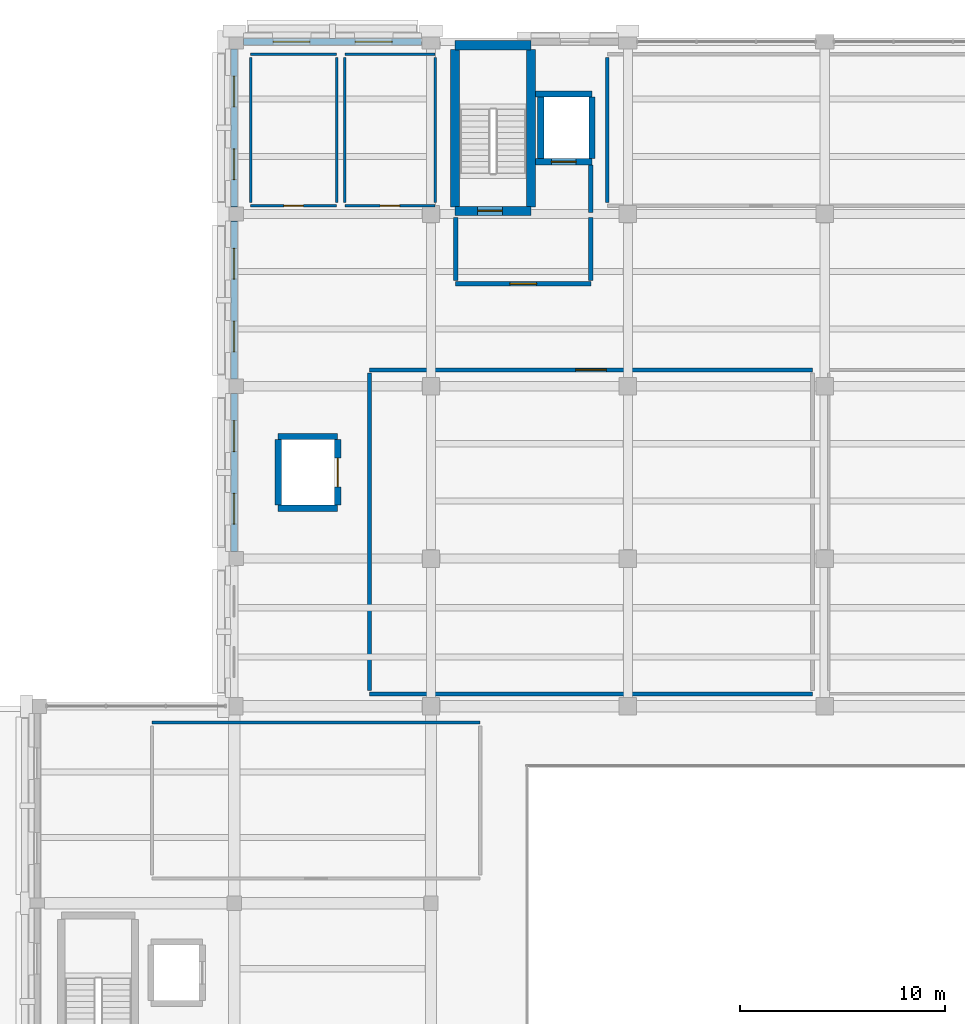
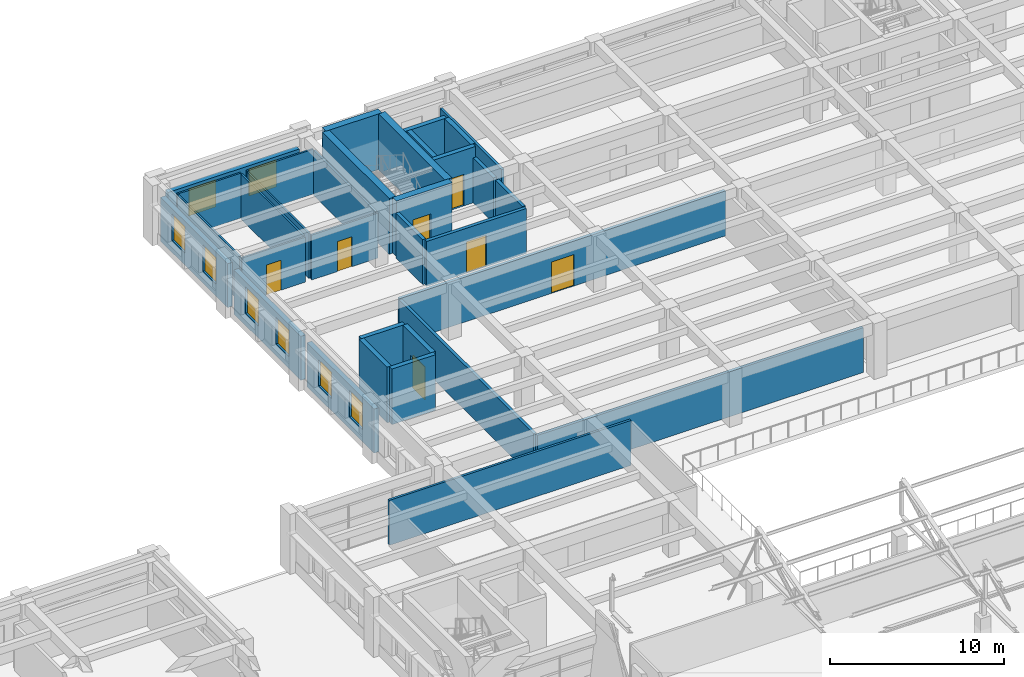
# One storey, part 59 of 71: 33 walls, 8 windows, 7 doors, 15 openings.
"""IFC4 building model written with IfcOpenShell, lengths in metres."""

from ifc_helpers import new_model, si_unit, direction, frame, frame_2d, origin, place, context, subcontext, project, spatial, rectangle, extrude, material, layer, layer_set, type_object, element, fill, save


model = new_model("IFC4")

# Units and contexts
model_context = context("Model", 3, precision=1e-05, world=origin(), true_north=direction((0.0, 1.0)))
body_context = subcontext(model_context, "Body", "Model", "MODEL_VIEW")
ifc_project = project(units=[si_unit("LENGTHUNIT", "METRE"), si_unit("AREAUNIT", "SQUARE_METRE"), si_unit("VOLUMEUNIT", "CUBIC_METRE"), si_unit("PLANEANGLEUNIT", "RADIAN"), si_unit("MASSUNIT", "GRAM", prefix="KILO")], contexts=[model_context])

# Site, building, storey
site_placement = place(None, origin())
site = spatial("IfcSite", under=ifc_project, at=site_placement, CompositionType="ELEMENT")
building_placement = place(site_placement, origin())
building = spatial("IfcBuilding", under=site, at=building_placement, Name="Bempovik Park Faculty of Sciences", CompositionType="ELEMENT")
storey_placement = place(building_placement, frame((0.0, 0.0, 14.10009765625)))
storey = spatial("IfcBuildingStorey", under=building, at=storey_placement, Name="L03", CompositionType="ELEMENT", Elevation=14.10009765625)

# Wall, opening, door
ifc_material_1 = material(Name="Concrete C40/50", Category="concrete")
ifc_layer_1 = layer(ifc_material_1, 0.449951171875)
ifc_layer_set_1 = layer_set([ifc_layer_1], Name="Concrete C40/50")
wall_type_1 = type_object("IfcWallType", Name="W-15 Wall 450mm", PredefinedType="SHEAR", material=ifc_layer_set_1)
wall_1_placement = place(storey_placement, frame((70.77490234375, 111.14990234375, 0.0), z_axis=(0.0, 0.0, 1.0), x_axis=(1.0, 0.0, 0.0)))
wall_1 = element("IfcWall", 1, at=wall_1_placement, inside=storey, type_object=wall_type_1, Name="ST-1 L03 Core Shear Wall South", PredefinedType="SHEAR", context=body_context, shape_type="SweptSolid", body=[
    extrude(rectangle(XDim=3.7001953125, YDim=0.449951171875, at=frame_2d((1.85009765625, 0.0))), origin(), (0.0, 0.0, 1.0), 3.89990234375),
])
opening_1_placement = place(wall_1_placement, frame((1.10009765625, 0.0, 0.0)))
opening_1 = element("IfcOpeningElement", 2, at=opening_1_placement, cuts=wall_1, Name="Opening D-49", PredefinedType="OPENING", context=body_context, shape_type="SweptSolid", body=[
    extrude(rectangle(XDim=1.199951171875, YDim=2.199951171875, at=frame_2d((0.60009765625, 1.10009765625))), frame((0.0, 0.23486328125, 0.0), z_axis=(0.0, -1.0, 0.0), x_axis=(1.0, 0.0, 0.0)), (0.0, 0.0, 1.0), 0.469970703125),
])
ifc_material_2 = material(Name="Painted steel S355", Category="steel")
door_type_1 = type_object("IfcDoorType", Name="D-49 Door 1200x2200", OperationType="NOTDEFINED", PredefinedType="DOOR", material=ifc_material_2)
door_1_placement = place(opening_1_placement, origin())
door_1 = element("IfcDoor", 3, at=door_1_placement, inside=storey, type_object=door_type_1, Name="ST-1 L03 Protected Stair Smoke Door", OperationType="SINGLE_SWING_LEFT", OverallHeight=2.199951171875, OverallWidth=1.199951171875, PredefinedType="DOOR", context=body_context, shape_type="SweptSolid", body=[
    extrude(rectangle(XDim=1.199951171875, YDim=2.199951171875, at=frame_2d((0.60009765625, 1.10009765625))), frame((0.0, 0.02490234375, 0.0), z_axis=(0.0, -1.0, 0.0), x_axis=(1.0, 0.0, 0.0)), (0.0, 0.0, 1.0), 0.050048828125),
])
fill(opening_1, door_1)

# Walls
for number, where, z_axis, x_axis, name in (
    (4, (70.77490234375, 111.35009765625, 0.0), (0.0, 0.0, 1.0), (0.0, 1.0, 0.0), "ST-1 L03 Core Shear Wall West"),
    (5, (74.47509765625, 111.35009765625, 0.0), (0.0, 0.0, 1.0), (0.0, 1.0, 0.0), "ST-1 L03 Core Shear Wall East"),
):
    element("IfcWall", number, at=place(storey_placement, frame(where, z_axis=z_axis, x_axis=x_axis)), inside=storey, type_object=wall_type_1, Name=name, PredefinedType="SHEAR", context=body_context, shape_type="SweptSolid", body=[
        extrude(rectangle(XDim=7.6748046875, YDim=0.449951171875, at=frame_2d((3.83740234375, 0.0))), origin(), (0.0, 0.0, 1.0), 3.89990234375),
    ])
wall_2_placement = place(storey_placement, frame((70.77490234375, 119.22509765625, 0.0), z_axis=(0.0, 0.0, 1.0), x_axis=(1.0, 0.0, 0.0)))
element("IfcWall", 6, at=wall_2_placement, inside=storey, type_object=wall_type_1, Name="ST-1 L03 Core Shear Wall North", PredefinedType="SHEAR", context=body_context, shape_type="SweptSolid", body=[
    extrude(rectangle(XDim=3.7001953125, YDim=0.449951171875, at=frame_2d((1.85009765625, 0.0))), origin(), (0.0, 0.0, 1.0), 3.89990234375),
])

# Wall, opening, door
ifc_material_3 = material(Name="Gypsum acoustic stud assembly")
ifc_layer_2 = layer(ifc_material_3, 0.1201171875)
ifc_layer_set_2 = layer_set([ifc_layer_2], Name="Gypsum acoustic stud assembly")
wall_type_2 = type_object("IfcWallType", Name="W-17 Wall 120mm", PredefinedType="PARTITIONING", material=ifc_layer_set_2)
wall_3_placement = place(storey_placement, frame((60.800048828125, 111.39990234375, 0.0), z_axis=(0.0, 0.0, 1.0), x_axis=(1.0, 0.0, 0.0)))
wall_3 = element("IfcWall", 7, at=wall_3_placement, inside=storey, type_object=wall_type_2, Name="L03 L03 Male WC Partition South", PredefinedType="PARTITIONING", context=body_context, shape_type="SweptSolid", body=[
    extrude(rectangle(XDim=4.199951171875, YDim=0.1201171875, at=frame_2d((2.10009765625, 0.0))), origin(), (0.0, 0.0, 1.0), 3.14990234375),
])
opening_2_placement = place(wall_3_placement, frame((1.625, 0.0, 0.0)))
opening_2 = element("IfcOpeningElement", 8, at=opening_2_placement, cuts=wall_3, Name="Opening D-56", PredefinedType="OPENING", context=body_context, shape_type="SweptSolid", body=[
    extrude(rectangle(XDim=0.949951171875, YDim=2.10009765625, at=frame_2d((0.47509765625, 1.050048828125))), frame((0.0, 0.070068359375, 0.0), z_axis=(0.0, -1.0, 0.0), x_axis=(1.0, 0.0, 0.0)), (0.0, 0.0, 1.0), 0.14013671875),
])
ifc_material_4 = material(Name="West African hardwood finish", Category="wood")
door_type_2 = type_object("IfcDoorType", Name="D-56 Door 950x2100", OperationType="NOTDEFINED", PredefinedType="DOOR", material=ifc_material_4)
door_2_placement = place(opening_2_placement, origin())
door_2 = element("IfcDoor", 9, at=door_2_placement, inside=storey, type_object=door_type_2, Name="L03 L03 Male WC Door", OperationType="SINGLE_SWING_RIGHT", OverallHeight=2.10009765625, OverallWidth=0.949951171875, PredefinedType="DOOR", context=body_context, shape_type="SweptSolid", body=[
    extrude(rectangle(XDim=0.949951171875, YDim=2.10009765625, at=frame_2d((0.47509765625, 1.050048828125))), frame((0.0, 0.02490234375, 0.0), z_axis=(0.0, -1.0, 0.0), x_axis=(1.0, 0.0, 0.0)), (0.0, 0.0, 1.0), 0.050048828125),
])
fill(opening_2, door_2)

# Walls
wall_4_placement = place(storey_placement, frame((60.800048828125, 118.800048828125, 0.0), z_axis=(0.0, 0.0, 1.0), x_axis=(1.0, 0.0, 0.0)))
element("IfcWall", 10, at=wall_4_placement, inside=storey, type_object=wall_type_2, Name="L03 L03 Male WC Partition North", PredefinedType="PARTITIONING", context=body_context, shape_type="SweptSolid", body=[
    extrude(rectangle(XDim=4.199951171875, YDim=0.1201171875, at=frame_2d((2.10009765625, 0.0))), origin(), (0.0, 0.0, 1.0), 3.14990234375),
])
for number, where, z_axis, x_axis, name in (
    (11, (60.800048828125, 111.56005859375, 0.0), (0.0, 0.0, 1.0), (0.0, 1.0, 0.0), "L03 L03 Male WC Partition West"),
    (12, (65.0, 111.56005859375, 0.0), (0.0, 0.0, 1.0), (0.0, 1.0, 0.0), "L03 L03 Male WC Partition East"),
):
    element("IfcWall", number, at=place(storey_placement, frame(where, z_axis=z_axis, x_axis=x_axis)), inside=storey, type_object=wall_type_2, Name=name, PredefinedType="PARTITIONING", context=body_context, shape_type="SweptSolid", body=[
        extrude(rectangle(XDim=7.079833984375, YDim=0.1201171875, at=frame_2d((3.5400390625, 0.0))), origin(), (0.0, 0.0, 1.0), 3.14990234375),
    ])

# Wall, opening, door
wall_5_placement = place(storey_placement, frame((65.39990234375, 111.39990234375, 0.0), z_axis=(0.0, 0.0, 1.0), x_axis=(1.0, 0.0, 0.0)))
wall_5 = element("IfcWall", 13, at=wall_5_placement, inside=storey, type_object=wall_type_2, Name="L03 L03 Female WC Partition South", PredefinedType="PARTITIONING", context=body_context, shape_type="SweptSolid", body=[
    extrude(rectangle(XDim=4.400146484375, YDim=0.1201171875, at=frame_2d((2.2001953125, 0.0))), origin(), (0.0, 0.0, 1.0), 3.14990234375),
])
opening_3_placement = place(wall_5_placement, frame((1.72509765625, 0.0, 0.0)))
opening_3 = element("IfcOpeningElement", 14, at=opening_3_placement, cuts=wall_5, Name="Opening D-56", PredefinedType="OPENING", context=body_context, shape_type="SweptSolid", body=[
    extrude(rectangle(XDim=0.949951171875, YDim=2.10009765625, at=frame_2d((0.47509765625, 1.050048828125))), frame((0.0, 0.070068359375, 0.0), z_axis=(0.0, -1.0, 0.0), x_axis=(1.0, 0.0, 0.0)), (0.0, 0.0, 1.0), 0.14013671875),
])
door_3_placement = place(opening_3_placement, origin())
door_3 = element("IfcDoor", 15, at=door_3_placement, inside=storey, type_object=door_type_2, Name="L03 L03 Female WC Door", OperationType="SINGLE_SWING_LEFT", OverallHeight=2.10009765625, OverallWidth=0.949951171875, PredefinedType="DOOR", context=body_context, shape_type="SweptSolid", body=[
    extrude(rectangle(XDim=0.949951171875, YDim=2.10009765625, at=frame_2d((0.47509765625, 1.050048828125))), frame((0.0, 0.02490234375, 0.0), z_axis=(0.0, -1.0, 0.0), x_axis=(1.0, 0.0, 0.0)), (0.0, 0.0, 1.0), 0.050048828125),
])
fill(opening_3, door_3)

# Walls
wall_6_placement = place(storey_placement, frame((65.39990234375, 118.800048828125, 0.0), z_axis=(0.0, 0.0, 1.0), x_axis=(1.0, 0.0, 0.0)))
element("IfcWall", 16, at=wall_6_placement, inside=storey, type_object=wall_type_2, Name="L03 L03 Female WC Partition North", PredefinedType="PARTITIONING", context=body_context, shape_type="SweptSolid", body=[
    extrude(rectangle(XDim=4.400146484375, YDim=0.1201171875, at=frame_2d((2.2001953125, 0.0))), origin(), (0.0, 0.0, 1.0), 3.14990234375),
])
for number, where, z_axis, x_axis, name in (
    (17, (65.39990234375, 111.56005859375, 0.0), (0.0, 0.0, 1.0), (0.0, 1.0, 0.0), "L03 L03 Female WC Partition West"),
    (18, (69.800048828125, 111.56005859375, 0.0), (0.0, 0.0, 1.0), (0.0, 1.0, 0.0), "L03 L03 Female WC Partition East"),
):
    element("IfcWall", number, at=place(storey_placement, frame(where, z_axis=z_axis, x_axis=x_axis)), inside=storey, type_object=wall_type_2, Name=name, PredefinedType="PARTITIONING", context=body_context, shape_type="SweptSolid", body=[
        extrude(rectangle(XDim=7.079833984375, YDim=0.1201171875, at=frame_2d((3.5400390625, 0.0))), origin(), (0.0, 0.0, 1.0), 3.14990234375),
    ])

# Wall, opening, door
ifc_layer_3 = layer(ifc_material_1, 0.300048828125)
ifc_layer_set_3 = layer_set([ifc_layer_3], Name="Concrete C40/50")
wall_type_3 = type_object("IfcWallType", Name="W-31 Wall 300mm", PredefinedType="SHEAR", material=ifc_layer_set_3)
wall_7_placement = place(storey_placement, frame((74.699951171875, 113.550048828125, 0.0), z_axis=(0.0, 0.0, 1.0), x_axis=(1.0, 0.0, 0.0)))
wall_7 = element("IfcWall", 19, at=wall_7_placement, inside=storey, type_object=wall_type_3, Name="Lift LF-1 L03 Shaft Wall South", PredefinedType="SHEAR", context=body_context, shape_type="SweptSolid", body=[
    extrude(rectangle(XDim=2.75, YDim=0.300048828125, at=frame_2d((1.375, 0.0))), origin(), (0.0, 0.0, 1.0), 3.89990234375),
])
opening_4_placement = place(wall_7_placement, frame((0.77490234375, 0.0, 0.0)))
opening_4 = element("IfcOpeningElement", 20, at=opening_4_placement, cuts=wall_7, Name="Opening LD-01", PredefinedType="OPENING", context=body_context, shape_type="SweptSolid", body=[
    extrude(rectangle(XDim=1.199951171875, YDim=2.199951171875, at=frame_2d((0.60009765625, 1.10009765625))), frame((0.0, 0.16015625, 0.0), z_axis=(0.0, -1.0, 0.0), x_axis=(1.0, 0.0, 0.0)), (0.0, 0.0, 1.0), 0.320068359375),
])
door_type_3 = type_object("IfcDoorType", Name="LD-01 Door 1200x2200", OperationType="NOTDEFINED", PredefinedType="DOOR", material=ifc_material_2)
door_4_placement = place(opening_4_placement, origin())
door_4 = element("IfcDoor", 21, at=door_4_placement, inside=storey, type_object=door_type_3, Name="Lift LF-1 L03 Sliding Landing Door", OperationType="SLIDING_TO_LEFT", OverallHeight=2.199951171875, OverallWidth=1.199951171875, PredefinedType="DOOR", context=body_context, shape_type="SweptSolid", body=[
    extrude(rectangle(XDim=1.199951171875, YDim=2.199951171875, at=frame_2d((0.60009765625, 1.10009765625))), frame((0.0, 0.02490234375, 0.0), z_axis=(0.0, -1.0, 0.0), x_axis=(1.0, 0.0, 0.0)), (0.0, 0.0, 1.0), 0.050048828125),
])
fill(opening_4, door_4)

# Walls
wall_8_placement = place(storey_placement, frame((74.699951171875, 116.85009765625, 0.0), z_axis=(0.0, 0.0, 1.0), x_axis=(1.0, 0.0, 0.0)))
element("IfcWall", 22, at=wall_8_placement, inside=storey, type_object=wall_type_3, Name="Lift LF-1 L03 Shaft Wall North", PredefinedType="SHEAR", context=body_context, shape_type="SweptSolid", body=[
    extrude(rectangle(XDim=2.75, YDim=0.300048828125, at=frame_2d((1.375, 0.0))), origin(), (0.0, 0.0, 1.0), 3.89990234375),
])
for number, where, z_axis, x_axis, name in (
    (23, (74.949951171875, 113.699951171875, 0.0), (0.0, 0.0, 1.0), (0.0, 1.0, 0.0), "Lift LF-1 L03 Shaft Wall West"),
    (24, (77.449951171875, 113.699951171875, 0.0), (0.0, 0.0, 1.0), (0.0, 1.0, 0.0), "Lift LF-1 L03 Shaft Wall East"),
):
    element("IfcWall", number, at=place(storey_placement, frame(where, z_axis=z_axis, x_axis=x_axis)), inside=storey, type_object=wall_type_3, Name=name, PredefinedType="SHEAR", context=body_context, shape_type="SweptSolid", body=[
        extrude(rectangle(XDim=3.0, YDim=0.300048828125, at=frame_2d((1.5, 0.0))), origin(), (0.0, 0.0, 1.0), 3.89990234375),
    ])
for number, where, z_axis, x_axis, name in (
    (25, (62.14990234375, 96.64990234375, 0.0), (0.0, 0.0, 1.0), (1.0, 0.0, 0.0), "Lift LF-5 L03 Shaft Wall South"),
    (26, (62.14990234375, 100.14990234375, 0.0), (0.0, 0.0, 1.0), (1.0, 0.0, 0.0), "Lift LF-5 L03 Shaft Wall North"),
):
    element("IfcWall", number, at=place(storey_placement, frame(where, z_axis=z_axis, x_axis=x_axis)), inside=storey, type_object=wall_type_3, Name=name, PredefinedType="SHEAR", context=body_context, shape_type="SweptSolid", body=[
        extrude(rectangle(XDim=2.900146484375, YDim=0.300048828125, at=frame_2d((1.4501953125, 0.0))), origin(), (0.0, 0.0, 1.0), 3.89990234375),
    ])
wall_9_placement = place(storey_placement, frame((62.14990234375, 96.800048828125, 0.0), z_axis=(0.0, 0.0, 1.0), x_axis=(0.0, 1.0, 0.0)))
element("IfcWall", 27, at=wall_9_placement, inside=storey, type_object=wall_type_3, Name="Lift LF-5 L03 Shaft Wall West", PredefinedType="SHEAR", context=body_context, shape_type="SweptSolid", body=[
    extrude(rectangle(XDim=3.199951171875, YDim=0.300048828125, at=frame_2d((1.60009765625, 0.0))), origin(), (0.0, 0.0, 1.0), 3.89990234375),
])

# Wall, opening, door
wall_10_placement = place(storey_placement, frame((65.050048828125, 96.800048828125, 0.0), z_axis=(0.0, 0.0, 1.0), x_axis=(0.0, 1.0, 0.0)))
wall_10 = element("IfcWall", 28, at=wall_10_placement, inside=storey, type_object=wall_type_3, Name="Lift LF-5 L03 Shaft Wall East", PredefinedType="SHEAR", context=body_context, shape_type="SweptSolid", body=[
    extrude(rectangle(XDim=3.199951171875, YDim=0.300048828125, at=frame_2d((1.60009765625, 0.0))), origin(), (0.0, 0.0, 1.0), 3.89990234375),
])
opening_5_placement = place(wall_10_placement, frame((0.89990234375, 0.0, 0.0)))
opening_5 = element("IfcOpeningElement", 29, at=opening_5_placement, cuts=wall_10, Name="Opening LD-03", PredefinedType="OPENING", context=body_context, shape_type="SweptSolid", body=[
    extrude(rectangle(XDim=1.39990234375, YDim=2.300048828125, at=frame_2d((0.699951171875, 1.14990234375))), frame((0.0, 0.16015625, 0.0), z_axis=(0.0, -1.0, 0.0), x_axis=(1.0, 0.0, 0.0)), (0.0, 0.0, 1.0), 0.320068359375),
])
door_type_4 = type_object("IfcDoorType", Name="LD-03 Door 1400x2300", OperationType="NOTDEFINED", PredefinedType="DOOR", material=ifc_material_2)
door_5_placement = place(opening_5_placement, origin())
door_5 = element("IfcDoor", 30, at=door_5_placement, inside=storey, type_object=door_type_4, Name="Lift LF-5 L03 Sliding Landing Door", OperationType="SLIDING_TO_LEFT", OverallHeight=2.300048828125, OverallWidth=1.39990234375, PredefinedType="DOOR", context=body_context, shape_type="SweptSolid", body=[
    extrude(rectangle(XDim=1.39990234375, YDim=2.300048828125, at=frame_2d((0.699951171875, 1.14990234375))), frame((0.0, 0.02490234375, 0.0), z_axis=(0.0, -1.0, 0.0), x_axis=(1.0, 0.0, 0.0)), (0.0, 0.0, 1.0), 0.050048828125),
])
fill(opening_5, door_5)

ifc_material_5 = material(Name="Concrete C35/45", Category="concrete")
ifc_layer_4 = layer(ifc_material_5, 0.219970703125)
ifc_layer_set_4 = layer_set([ifc_layer_4], Name="Concrete C35/45")
wall_type_4 = type_object("IfcWallType", Name="W-38 Wall 220mm", PredefinedType="PARTITIONING", material=ifc_layer_set_4)
wall_11_placement = place(storey_placement, frame((70.800048828125, 107.60009765625, 0.0), z_axis=(0.0, 0.0, 1.0), x_axis=(1.0, 0.0, 0.0)))
wall_11 = element("IfcWall", 31, at=wall_11_placement, inside=storey, type_object=wall_type_4, Name="L03 Firefighting Lift Lobby West Partition South", PredefinedType="PARTITIONING", context=body_context, shape_type="SweptSolid", body=[
    extrude(rectangle(XDim=6.599853515625, YDim=0.219970703125, at=frame_2d((3.2998046875, 0.0))), origin(), (0.0, 0.0, 1.0), 3.14990234375),
])
opening_6_placement = place(wall_11_placement, frame((2.64990234375, 0.0, 0.0)))
opening_6 = element("IfcOpeningElement", 32, at=opening_6_placement, cuts=wall_11, Name="Opening D-38", PredefinedType="OPENING", context=body_context, shape_type="SweptSolid", body=[
    extrude(rectangle(XDim=1.300048828125, YDim=2.199951171875, at=frame_2d((0.64990234375, 1.10009765625))), frame((0.0, 0.1201171875, 0.0), z_axis=(0.0, -1.0, 0.0), x_axis=(1.0, 0.0, 0.0)), (0.0, 0.0, 1.0), 0.239990234375),
])
door_type_5 = type_object("IfcDoorType", Name="D-38 Door 1300x2200", OperationType="NOTDEFINED", PredefinedType="DOOR", material=ifc_material_2)
door_6_placement = place(opening_6_placement, origin())
door_6 = element("IfcDoor", 33, at=door_6_placement, inside=storey, type_object=door_type_5, Name="L03 Firefighting Lift Lobby West Door", OperationType="SINGLE_SWING_RIGHT", OverallHeight=2.199951171875, OverallWidth=1.300048828125, PredefinedType="DOOR", context=body_context, shape_type="SweptSolid", body=[
    extrude(rectangle(XDim=1.300048828125, YDim=2.199951171875, at=frame_2d((0.64990234375, 1.10009765625))), frame((0.0, 0.02490234375, 0.0), z_axis=(0.0, -1.0, 0.0), x_axis=(1.0, 0.0, 0.0)), (0.0, 0.0, 1.0), 0.050048828125),
])
fill(opening_6, door_6)

# Walls
wall_12_placement = place(storey_placement, frame((77.39990234375, 111.080078125, 0.0), z_axis=(0.0, 0.0, 1.0), x_axis=(0.0, 1.0, 0.0)))
element("IfcWall", 34, at=wall_12_placement, inside=storey, type_object=wall_type_4, Name="L03 Firefighting Lobby West Lift Link Wall", PredefinedType="PARTITIONING", context=body_context, shape_type="SweptSolid", body=[
    extrude(rectangle(XDim=2.31982421875, YDim=0.219970703125, at=frame_2d((1.159912109375, 0.0))), origin(), (0.0, 0.0, 1.0), 3.14990234375),
])
for number, where, z_axis, x_axis, name in (
    (35, (70.800048828125, 107.760009765625, 0.0), (0.0, 0.0, 1.0), (0.0, 1.0, 0.0), "L03 Firefighting Lift Lobby West Partition West"),
    (36, (77.39990234375, 107.760009765625, 0.0), (0.0, 0.0, 1.0), (0.0, 1.0, 0.0), "L03 Firefighting Lift Lobby West Partition East"),
):
    element("IfcWall", number, at=place(storey_placement, frame(where, z_axis=z_axis, x_axis=x_axis)), inside=storey, type_object=wall_type_4, Name=name, PredefinedType="PARTITIONING", context=body_context, shape_type="SweptSolid", body=[
        extrude(rectangle(XDim=3.080078125, YDim=0.219970703125, at=frame_2d((1.5400390625, 0.0))), origin(), (0.0, 0.0, 1.0), 3.14990234375),
    ])
ifc_layer_5 = layer(ifc_material_3, 0.14990234375)
ifc_layer_set_5 = layer_set([ifc_layer_5], Name="Gypsum acoustic stud assembly")
wall_type_5 = type_object("IfcWallType", Name="W-42 Wall 150mm", PredefinedType="PARTITIONING", material=ifc_layer_set_5)
wall_13_placement = place(storey_placement, frame((56.0, 86.199951171875, 0.0), z_axis=(0.0, 0.0, 1.0), x_axis=(1.0, 0.0, 0.0)))
element("IfcWall", 37, at=wall_13_placement, inside=storey, type_object=wall_type_5, Name="L03 Botanical Herbarium Collection Room Partition North", PredefinedType="PARTITIONING", context=body_context, shape_type="SweptSolid", body=[
    extrude(rectangle(XDim=16.0, YDim=0.14990234375, at=frame_2d((8.0, 0.0))), origin(), (0.0, 0.0, 1.0), 3.14990234375),
])
ifc_layer_6 = layer(ifc_material_5, 0.169921875)
ifc_layer_set_6 = layer_set([ifc_layer_6], Name="Concrete C35/45")
wall_type_6 = type_object("IfcWallType", Name="W-50 Wall 170mm", PredefinedType="PARTITIONING", material=ifc_layer_set_6)
wall_14_placement = place(storey_placement, frame((78.199951171875, 111.56005859375, 0.0), z_axis=(0.0, 0.0, 1.0), x_axis=(0.0, 1.0, 0.0)))
element("IfcWall", 38, at=wall_14_placement, inside=storey, type_object=wall_type_6, Name="L03 Thin-Section Petrology Preparation Room Partition West", PredefinedType="PARTITIONING", context=body_context, shape_type="SweptSolid", body=[
    extrude(rectangle(XDim=7.079833984375, YDim=0.169921875, at=frame_2d((3.5400390625, 0.0))), origin(), (0.0, 0.0, 1.0), 3.14990234375),
])

# Wall, openings, windows
ifc_material_6 = material(Name="Precast concrete C40/50", Category="concrete")
ifc_layer_7 = layer(ifc_material_6, 0.320068359375)
ifc_layer_set_7 = layer_set([ifc_layer_7], Name="Precast concrete C40/50")
wall_type_7 = type_object("IfcWallType", Name="W-56 Wall 320mm", PredefinedType="SOLIDWALL", material=ifc_layer_set_7)
wall_15_placement = place(storey_placement, frame((60.0, 94.552001953125, 0.0), z_axis=(0.0, 0.0, 1.0), x_axis=(0.0, 1.0, 0.0)))
wall_15 = element("IfcWall", 39, at=wall_15_placement, inside=storey, type_object=wall_type_7, Name="L03 Classical Precast Facade Wall EW-L03-8467", PredefinedType="SOLIDWALL", context=body_context, shape_type="SweptSolid", body=[
    extrude(rectangle(XDim=7.696044921875, YDim=0.320068359375, at=frame_2d((3.84814453125, 0.0))), origin(), (0.0, 0.0, 1.0), 3.079833984375),
])
opening_7_placement = place(wall_15_placement, frame((1.327880859375, 0.0, 0.85009765625)))
opening_7 = element("IfcOpeningElement", 40, at=opening_7_placement, cuts=wall_15, Name="Opening WN-65", PredefinedType="OPENING", context=body_context, shape_type="SweptSolid", body=[
    extrude(rectangle(XDim=1.5, YDim=1.85009765625, at=frame_2d((0.75, 0.925048828125))), frame((0.0, 0.169921875, 0.0), z_axis=(0.0, -1.0, 0.0), x_axis=(1.0, 0.0, 0.0)), (0.0, 0.0, 1.0), 0.340087890625),
])
opening_8_placement = place(wall_15_placement, frame((4.8681640625, 0.0, 0.85009765625)))
opening_8 = element("IfcOpeningElement", 41, at=opening_8_placement, cuts=wall_15, Name="Opening WN-65", PredefinedType="OPENING", context=body_context, shape_type="SweptSolid", body=[
    extrude(rectangle(XDim=1.5, YDim=1.85009765625, at=frame_2d((0.75, 0.925048828125))), frame((0.0, 0.169921875, 0.0), z_axis=(0.0, -1.0, 0.0), x_axis=(1.0, 0.0, 0.0)), (0.0, 0.0, 1.0), 0.340087890625),
])
ifc_material_7 = material(Name="Tempered laminated low-E glass", Category="glass")
window_type_1 = type_object("IfcWindowType", Name="WN-65 Window 1500x1850", PartitioningType="SINGLE_PANEL", PredefinedType="WINDOW", material=ifc_material_7)
window_1_placement = place(opening_7_placement, origin())
window_1 = element("IfcWindow", 42, at=window_1_placement, inside=storey, type_object=window_type_1, Name="L03 Window EW-L03-8467-1", OverallHeight=1.85009765625, OverallWidth=1.5, PartitioningType="SINGLE_PANEL", PredefinedType="WINDOW", context=body_context, shape_type="SweptSolid", body=[
    extrude(rectangle(XDim=1.5, YDim=1.85009765625, at=frame_2d((0.75, 0.925048828125))), frame((0.0, 0.030029296875, 0.0), z_axis=(0.0, -1.0, 0.0), x_axis=(1.0, 0.0, 0.0)), (0.0, 0.0, 1.0), 0.06005859375),
])
fill(opening_7, window_1)
window_2_placement = place(opening_8_placement, origin())
window_2 = element("IfcWindow", 43, at=window_2_placement, inside=storey, type_object=window_type_1, Name="L03 Window EW-L03-8467-2", OverallHeight=1.85009765625, OverallWidth=1.5, PartitioningType="SINGLE_PANEL", PredefinedType="WINDOW", context=body_context, shape_type="SweptSolid", body=[
    extrude(rectangle(XDim=1.5, YDim=1.85009765625, at=frame_2d((0.75, 0.925048828125))), frame((0.0, 0.030029296875, 0.0), z_axis=(0.0, -1.0, 0.0), x_axis=(1.0, 0.0, 0.0)), (0.0, 0.0, 1.0), 0.06005859375),
])
fill(opening_8, window_2)

wall_16_placement = place(storey_placement, frame((60.0, 102.951904296875, 0.0), z_axis=(0.0, 0.0, 1.0), x_axis=(0.0, 1.0, 0.0)))
wall_16 = element("IfcWall", 44, at=wall_16_placement, inside=storey, type_object=wall_type_7, Name="L03 Classical Precast Facade Wall EW-L03-8479", PredefinedType="SOLIDWALL", context=body_context, shape_type="SweptSolid", body=[
    extrude(rectangle(XDim=7.696044921875, YDim=0.320068359375, at=frame_2d((3.84814453125, 0.0))), origin(), (0.0, 0.0, 1.0), 3.079833984375),
])
opening_9_placement = place(wall_16_placement, frame((1.327880859375, 0.0, 0.85009765625)))
opening_9 = element("IfcOpeningElement", 45, at=opening_9_placement, cuts=wall_16, Name="Opening WN-65", PredefinedType="OPENING", context=body_context, shape_type="SweptSolid", body=[
    extrude(rectangle(XDim=1.5, YDim=1.85009765625, at=frame_2d((0.75, 0.925048828125))), frame((0.0, 0.169921875, 0.0), z_axis=(0.0, -1.0, 0.0), x_axis=(1.0, 0.0, 0.0)), (0.0, 0.0, 1.0), 0.340087890625),
])
opening_10_placement = place(wall_16_placement, frame((4.8681640625, 0.0, 0.85009765625)))
opening_10 = element("IfcOpeningElement", 46, at=opening_10_placement, cuts=wall_16, Name="Opening WN-65", PredefinedType="OPENING", context=body_context, shape_type="SweptSolid", body=[
    extrude(rectangle(XDim=1.5, YDim=1.85009765625, at=frame_2d((0.75, 0.925048828125))), frame((0.0, 0.169921875, 0.0), z_axis=(0.0, -1.0, 0.0), x_axis=(1.0, 0.0, 0.0)), (0.0, 0.0, 1.0), 0.340087890625),
])
window_3_placement = place(opening_9_placement, origin())
window_3 = element("IfcWindow", 47, at=window_3_placement, inside=storey, type_object=window_type_1, Name="L03 Window EW-L03-8479-1", OverallHeight=1.85009765625, OverallWidth=1.5, PartitioningType="SINGLE_PANEL", PredefinedType="WINDOW", context=body_context, shape_type="SweptSolid", body=[
    extrude(rectangle(XDim=1.5, YDim=1.85009765625, at=frame_2d((0.75, 0.925048828125))), frame((0.0, 0.030029296875, 0.0), z_axis=(0.0, -1.0, 0.0), x_axis=(1.0, 0.0, 0.0)), (0.0, 0.0, 1.0), 0.06005859375),
])
fill(opening_9, window_3)
window_4_placement = place(opening_10_placement, origin())
window_4 = element("IfcWindow", 48, at=window_4_placement, inside=storey, type_object=window_type_1, Name="L03 Window EW-L03-8479-2", OverallHeight=1.85009765625, OverallWidth=1.5, PartitioningType="SINGLE_PANEL", PredefinedType="WINDOW", context=body_context, shape_type="SweptSolid", body=[
    extrude(rectangle(XDim=1.5, YDim=1.85009765625, at=frame_2d((0.75, 0.925048828125))), frame((0.0, 0.030029296875, 0.0), z_axis=(0.0, -1.0, 0.0), x_axis=(1.0, 0.0, 0.0)), (0.0, 0.0, 1.0), 0.06005859375),
])
fill(opening_10, window_4)

wall_17_placement = place(storey_placement, frame((60.0, 111.35205078125, 0.0), z_axis=(0.0, 0.0, 1.0), x_axis=(0.0, 1.0, 0.0)))
wall_17 = element("IfcWall", 49, at=wall_17_placement, inside=storey, type_object=wall_type_7, Name="L03 Classical Precast Facade Wall EW-L03-8491", PredefinedType="SOLIDWALL", context=body_context, shape_type="SweptSolid", body=[
    extrude(rectangle(XDim=7.696044921875, YDim=0.320068359375, at=frame_2d((3.84814453125, 0.0))), origin(), (0.0, 0.0, 1.0), 3.079833984375),
])
opening_11_placement = place(wall_17_placement, frame((1.327880859375, 0.0, 0.85009765625)))
opening_11 = element("IfcOpeningElement", 50, at=opening_11_placement, cuts=wall_17, Name="Opening WN-65", PredefinedType="OPENING", context=body_context, shape_type="SweptSolid", body=[
    extrude(rectangle(XDim=1.5, YDim=1.85009765625, at=frame_2d((0.75, 0.925048828125))), frame((0.0, 0.169921875, 0.0), z_axis=(0.0, -1.0, 0.0), x_axis=(1.0, 0.0, 0.0)), (0.0, 0.0, 1.0), 0.340087890625),
])
opening_12_placement = place(wall_17_placement, frame((4.8681640625, 0.0, 0.85009765625)))
opening_12 = element("IfcOpeningElement", 51, at=opening_12_placement, cuts=wall_17, Name="Opening WN-65", PredefinedType="OPENING", context=body_context, shape_type="SweptSolid", body=[
    extrude(rectangle(XDim=1.5, YDim=1.85009765625, at=frame_2d((0.75, 0.925048828125))), frame((0.0, 0.169921875, 0.0), z_axis=(0.0, -1.0, 0.0), x_axis=(1.0, 0.0, 0.0)), (0.0, 0.0, 1.0), 0.340087890625),
])
window_5_placement = place(opening_11_placement, origin())
window_5 = element("IfcWindow", 52, at=window_5_placement, inside=storey, type_object=window_type_1, Name="L03 Window EW-L03-8491-1", OverallHeight=1.85009765625, OverallWidth=1.5, PartitioningType="SINGLE_PANEL", PredefinedType="WINDOW", context=body_context, shape_type="SweptSolid", body=[
    extrude(rectangle(XDim=1.5, YDim=1.85009765625, at=frame_2d((0.75, 0.925048828125))), frame((0.0, 0.030029296875, 0.0), z_axis=(0.0, -1.0, 0.0), x_axis=(1.0, 0.0, 0.0)), (0.0, 0.0, 1.0), 0.06005859375),
])
fill(opening_11, window_5)
window_6_placement = place(opening_12_placement, origin())
window_6 = element("IfcWindow", 53, at=window_6_placement, inside=storey, type_object=window_type_1, Name="L03 Window EW-L03-8491-2", OverallHeight=1.85009765625, OverallWidth=1.5, PartitioningType="SINGLE_PANEL", PredefinedType="WINDOW", context=body_context, shape_type="SweptSolid", body=[
    extrude(rectangle(XDim=1.5, YDim=1.85009765625, at=frame_2d((0.75, 0.925048828125))), frame((0.0, 0.030029296875, 0.0), z_axis=(0.0, -1.0, 0.0), x_axis=(1.0, 0.0, 0.0)), (0.0, 0.0, 1.0), 0.06005859375),
])
fill(opening_12, window_6)

wall_18_placement = place(storey_placement, frame((60.451904296875, 119.39990234375, 0.0), z_axis=(0.0, 0.0, 1.0), x_axis=(1.0, 0.0, 0.0)))
wall_18 = element("IfcWall", 54, at=wall_18_placement, inside=storey, type_object=wall_type_7, Name="L03 Classical Precast Facade Wall EW-L03-8503", PredefinedType="SOLIDWALL", context=body_context, shape_type="SweptSolid", body=[
    extrude(rectangle(XDim=8.696044921875, YDim=0.320068359375, at=frame_2d((4.34814453125, 0.0))), origin(), (0.0, 0.0, 1.0), 3.079833984375),
])
opening_13_placement = place(wall_18_placement, frame((1.447998046875, 0.0, 0.85009765625)))
opening_13 = element("IfcOpeningElement", 55, at=opening_13_placement, cuts=wall_18, Name="Opening WN-81", PredefinedType="OPENING", context=body_context, shape_type="SweptSolid", body=[
    extrude(rectangle(XDim=1.800048828125, YDim=1.89990234375, at=frame_2d((0.89990234375, 0.949951171875))), frame((0.0, 0.169921875, 0.0), z_axis=(0.0, -1.0, 0.0), x_axis=(1.0, 0.0, 0.0)), (0.0, 0.0, 1.0), 0.340087890625),
])
opening_14_placement = place(wall_18_placement, frame((5.447998046875, 0.0, 0.85009765625)))
opening_14 = element("IfcOpeningElement", 56, at=opening_14_placement, cuts=wall_18, Name="Opening WN-81", PredefinedType="OPENING", context=body_context, shape_type="SweptSolid", body=[
    extrude(rectangle(XDim=1.800048828125, YDim=1.89990234375, at=frame_2d((0.89990234375, 0.949951171875))), frame((0.0, 0.169921875, 0.0), z_axis=(0.0, -1.0, 0.0), x_axis=(1.0, 0.0, 0.0)), (0.0, 0.0, 1.0), 0.340087890625),
])
window_type_2 = type_object("IfcWindowType", Name="WN-81 Window 1800x1900", PartitioningType="SINGLE_PANEL", PredefinedType="WINDOW", material=ifc_material_7)
window_7_placement = place(opening_13_placement, origin())
window_7 = element("IfcWindow", 57, at=window_7_placement, inside=storey, type_object=window_type_2, Name="L03 Window EW-L03-8503-1", OverallHeight=1.89990234375, OverallWidth=1.800048828125, PartitioningType="SINGLE_PANEL", PredefinedType="WINDOW", context=body_context, shape_type="SweptSolid", body=[
    extrude(rectangle(XDim=1.800048828125, YDim=1.89990234375, at=frame_2d((0.89990234375, 0.949951171875))), frame((0.0, 0.030029296875, 0.0), z_axis=(0.0, -1.0, 0.0), x_axis=(1.0, 0.0, 0.0)), (0.0, 0.0, 1.0), 0.06005859375),
])
fill(opening_13, window_7)
window_8_placement = place(opening_14_placement, origin())
window_8 = element("IfcWindow", 58, at=window_8_placement, inside=storey, type_object=window_type_2, Name="L03 Window EW-L03-8503-2", OverallHeight=1.89990234375, OverallWidth=1.800048828125, PartitioningType="SINGLE_PANEL", PredefinedType="WINDOW", context=body_context, shape_type="SweptSolid", body=[
    extrude(rectangle(XDim=1.800048828125, YDim=1.89990234375, at=frame_2d((0.89990234375, 0.949951171875))), frame((0.0, 0.030029296875, 0.0), z_axis=(0.0, -1.0, 0.0), x_axis=(1.0, 0.0, 0.0)), (0.0, 0.0, 1.0), 0.06005859375),
])
fill(opening_14, window_8)

# Wall
ifc_layer_8 = layer(ifc_material_5, 0.199951171875)
ifc_layer_set_8 = layer_set([ifc_layer_8], Name="Concrete C35/45")
wall_type_8 = type_object("IfcWallType", Name="W-59 Wall 200mm", PredefinedType="PARTITIONING", material=ifc_layer_set_8)
wall_19_placement = place(storey_placement, frame((66.60009765625, 87.60009765625, 0.0), z_axis=(0.0, 0.0, 1.0), x_axis=(1.0, 0.0, 0.0)))
element("IfcWall", 59, at=wall_19_placement, inside=storey, type_object=wall_type_8, Name="L03 Materials Science Research Laboratory Partition South", PredefinedType="PARTITIONING", context=body_context, shape_type="SweptSolid", body=[
    extrude(rectangle(XDim=21.599853515625, YDim=0.199951171875, at=frame_2d((10.7998046875, 0.0))), origin(), (0.0, 0.0, 1.0), 3.14990234375),
])

# Wall, opening, door
wall_20_placement = place(storey_placement, frame((66.60009765625, 103.39990234375, 0.0), z_axis=(0.0, 0.0, 1.0), x_axis=(1.0, 0.0, 0.0)))
wall_20 = element("IfcWall", 60, at=wall_20_placement, inside=storey, type_object=wall_type_8, Name="L03 Materials Science Research Laboratory Partition North", PredefinedType="PARTITIONING", context=body_context, shape_type="SweptSolid", body=[
    extrude(rectangle(XDim=21.599853515625, YDim=0.199951171875, at=frame_2d((10.7998046875, 0.0))), origin(), (0.0, 0.0, 1.0), 3.14990234375),
])
opening_15_placement = place(wall_20_placement, frame((10.050048828125, 0.0, 0.0)))
opening_15 = element("IfcOpeningElement", 61, at=opening_15_placement, cuts=wall_20, Name="Opening D-22", PredefinedType="OPENING", context=body_context, shape_type="SweptSolid", body=[
    extrude(rectangle(XDim=1.5, YDim=2.199951171875, at=frame_2d((0.75, 1.10009765625))), frame((0.0, 0.10986328125, 0.0), z_axis=(0.0, -1.0, 0.0), x_axis=(1.0, 0.0, 0.0)), (0.0, 0.0, 1.0), 0.219970703125),
])
door_type_6 = type_object("IfcDoorType", Name="D-22 Door 1500x2200", OperationType="NOTDEFINED", PredefinedType="DOOR", material=ifc_material_4)
door_7_placement = place(opening_15_placement, origin())
door_7 = element("IfcDoor", 62, at=door_7_placement, inside=storey, type_object=door_type_6, Name="L03 Materials Science Research Laboratory Door", OperationType="SINGLE_SWING_LEFT", OverallHeight=2.199951171875, OverallWidth=1.5, PredefinedType="DOOR", context=body_context, shape_type="SweptSolid", body=[
    extrude(rectangle(XDim=1.5, YDim=2.199951171875, at=frame_2d((0.75, 1.10009765625))), frame((0.0, 0.02490234375, 0.0), z_axis=(0.0, -1.0, 0.0), x_axis=(1.0, 0.0, 0.0)), (0.0, 0.0, 1.0), 0.050048828125),
])
fill(opening_15, door_7)

# Wall
wall_21_placement = place(storey_placement, frame((66.60009765625, 87.760009765625, 0.0), z_axis=(0.0, 0.0, 1.0), x_axis=(0.0, 1.0, 0.0)))
element("IfcWall", 63, at=wall_21_placement, inside=storey, type_object=wall_type_8, Name="L03 Materials Science Research Laboratory Partition West", PredefinedType="PARTITIONING", context=body_context, shape_type="SweptSolid", body=[
    extrude(rectangle(XDim=15.47998046875, YDim=0.199951171875, at=frame_2d((7.739990234375, 0.0))), origin(), (0.0, 0.0, 1.0), 3.14990234375),
])

save(model, "model.ifc")
